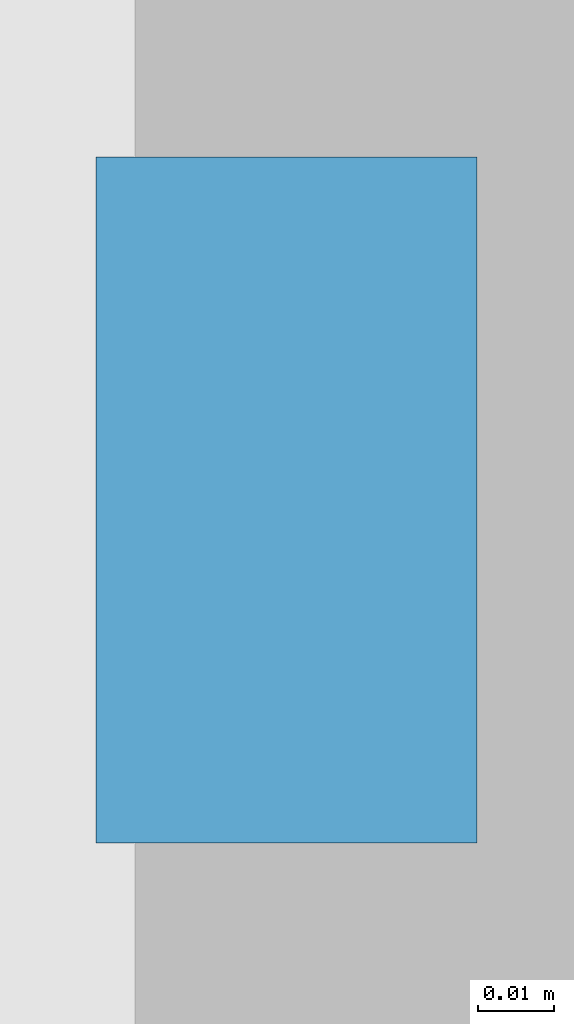
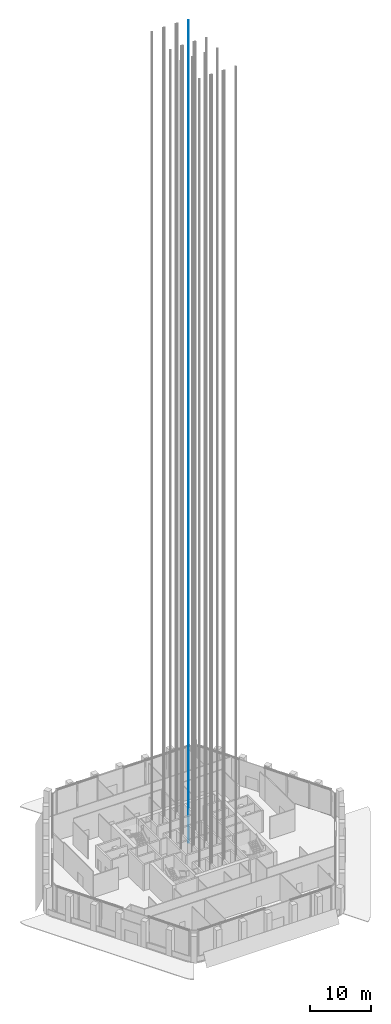
# One storey, part 39 of 42: 1 discrete accessory.
"""IFC4 building model written with IfcOpenShell, lengths in metres."""

from ifc_helpers import new_model, si_unit, direction, frame, origin, origin_2d, place, context, subcontext, project, spatial, rectangle, extrude, element, save


model = new_model("IFC4")

# Units and contexts
model_context = context("Model", 3, precision=1e-05, world=origin(), true_north=direction((0.0, 1.0)))
body_context = subcontext(model_context, "Body", "Model", "MODEL_VIEW")
ifc_project = project(units=[si_unit("LENGTHUNIT", "METRE"), si_unit("AREAUNIT", "SQUARE_METRE"), si_unit("VOLUMEUNIT", "CUBIC_METRE"), si_unit("PLANEANGLEUNIT", "RADIAN"), si_unit("MASSUNIT", "GRAM", prefix="KILO")], contexts=[model_context])

# Site, building, storey
site_placement = place(None, origin())
site = spatial("IfcSite", under=ifc_project, at=site_placement, CompositionType="ELEMENT")
building_placement = place(site_placement, origin())
building = spatial("IfcBuilding", under=site, at=building_placement, Name="Kolab Exchange Tower", CompositionType="ELEMENT")
storey_placement = place(building_placement, frame((0.0, 0.0, 133.39990234375)))
storey = spatial("IfcBuildingStorey", under=building, at=storey_placement, Name="L26", CompositionType="ELEMENT", Elevation=133.39990234375)

# Discrete accessory
discrete_accessory_placement = place(storey_placement, frame((3.469970703125, 7.800048828125, -1.599853515625), z_axis=(0.0, 0.0, 1.0), x_axis=(1.0, 0.0, 0.0)))
element("IfcDiscreteAccessory", 1, at=discrete_accessory_placement, inside=storey, Name="Guide rail HR3-2", ObjectType="GUIDE RAIL", PredefinedType="USERDEFINED", context=body_context, shape_type="SweptSolid", body=[
    extrude(rectangle(XDim=0.050048828125, YDim=0.090087890625, at=origin_2d()), origin(), (0.0, 0.0, 1.0), 165.60009765625),
])

save(model, "model.ifc")
